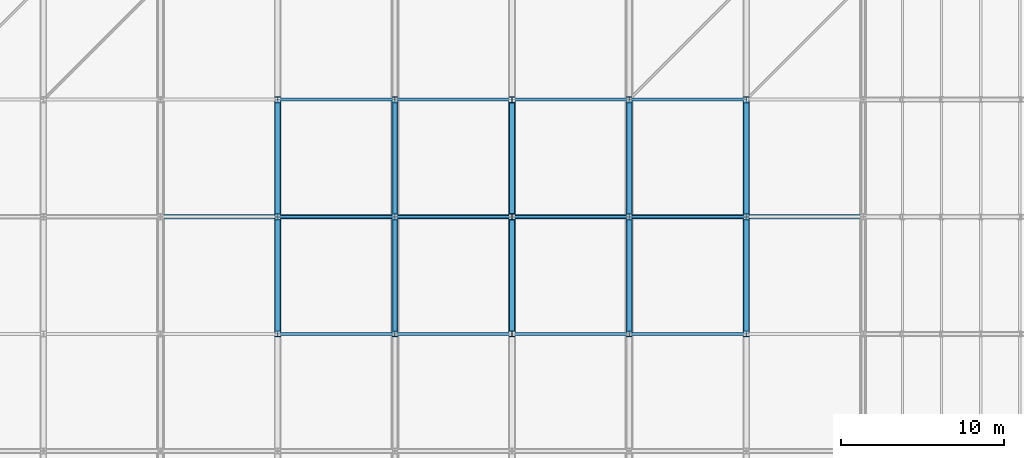
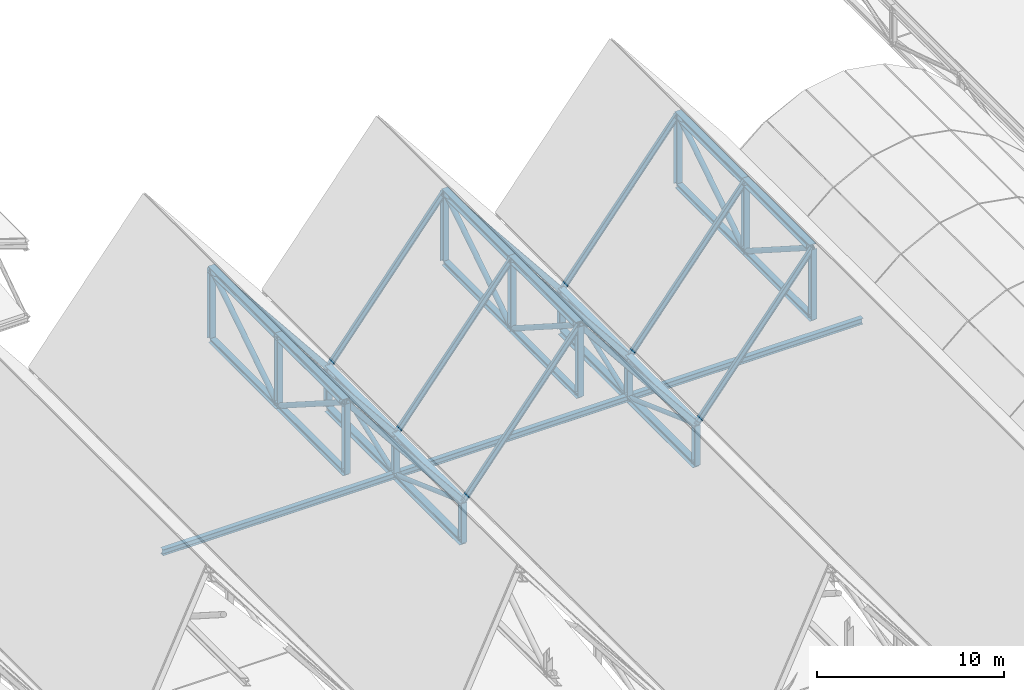
# One storey, part 31 of 60: 57 members, 3 beams.
"""IFC4 building model written with IfcOpenShell, lengths in metres."""

from ifc_helpers import new_model, si_unit, direction, frame, origin, origin_2d, place, context, subcontext, project, spatial, hollow_circle, i_section, extrude, material, material_profile, profile_set, type_object, element, save


model = new_model("IFC4")

# Units and contexts
model_context = context("Model", 3, precision=1e-05, world=origin(), true_north=direction((0.0, 1.0)))
body_context = subcontext(model_context, "Body", "Model", "MODEL_VIEW")
ifc_project = project(units=[si_unit("LENGTHUNIT", "METRE"), si_unit("AREAUNIT", "SQUARE_METRE"), si_unit("VOLUMEUNIT", "CUBIC_METRE"), si_unit("PLANEANGLEUNIT", "RADIAN"), si_unit("MASSUNIT", "GRAM", prefix="KILO")], contexts=[model_context])

# Site, building, storey
site_placement = place(None, origin())
site = spatial("IfcSite", under=ifc_project, at=site_placement, CompositionType="ELEMENT")
building_placement = place(site_placement, origin())
building = spatial("IfcBuilding", under=site, at=building_placement, Name="Vesperath Aquatics Centre", CompositionType="ELEMENT")
storey_placement = place(building_placement, frame((0.0, 0.0, 27.60009765625)))
storey = spatial("IfcBuildingStorey", under=building, at=storey_placement, Name="RF", CompositionType="ELEMENT", Elevation=27.60009765625)

# Beams
ifc_material_1 = material(Name="Steel Q355C", Category="steel")
ifc_material_profile_1 = material_profile(ifc_material_1, i_section(OverallWidth=0.300048828125, OverallDepth=0.389892578125, WebThickness=0.010009765625, FlangeThickness=0.01611328125, FilletRadius=0.02197265625, at=origin_2d()), Name="HM 390x300x10x16")
ifc_profile_set_1 = profile_set([ifc_material_profile_1], Name="Steel Q355C")
beam_type = type_object("IfcBeamType", Name="BM-RB02", PredefinedType="BEAM", material=ifc_profile_set_1)
for number, where, z_axis, x_axis, name in (
    (1, (57.60009765625, 72.0, -12.400146484375), (1.0, 0.0, 0.0), (0.0, 1.0, 0.0), "Natatorium Roof Deck Support Beam B11 G5-72.0"),
    (2, (72.0, 72.0, -12.400146484375), (1.0, 0.0, 0.0), (0.0, 1.0, 0.0), "Natatorium Roof Deck Support Beam B11 G6-72.0"),
):
    element("IfcBeam", number, at=place(storey_placement, frame(where, z_axis=z_axis, x_axis=x_axis)), inside=storey, type_object=beam_type, Name=name, PredefinedType="BEAM", context=body_context, shape_type="SweptSolid", body=[
        extrude(i_section(OverallWidth=0.300048828125, OverallDepth=0.389892578125, WebThickness=0.010009765625, FlangeThickness=0.01611328125, FilletRadius=0.02197265625, at=origin_2d()), origin(), (0.0, 0.0, 1.0), 14.39990234375),
    ])
beam_placement = place(storey_placement, frame((86.39990234375, 72.0, -12.400146484375), z_axis=(1.0, 0.0, 0.0), x_axis=(0.0, 1.0, 0.0)))
element("IfcBeam", 3, at=beam_placement, inside=storey, type_object=beam_type, Name="Natatorium Roof Deck Support Beam B11 G7-72.0", PredefinedType="BEAM", context=body_context, shape_type="SweptSolid", body=[
    extrude(i_section(OverallWidth=0.300048828125, OverallDepth=0.389892578125, WebThickness=0.010009765625, FlangeThickness=0.01611328125, FilletRadius=0.02197265625, at=origin_2d()), origin(), (0.0, 0.0, 1.0), 14.400146484375),
])

# Members
ifc_material_2 = material(Name="Steel Q355D", Category="steel")
ifc_material_profile_2 = material_profile(ifc_material_2, i_section(OverallWidth=0.39990234375, OverallDepth=0.39990234375, WebThickness=0.012939453125, FlangeThickness=0.02099609375, FilletRadius=0.02197265625, at=origin_2d()), Name="HW 400x400x13x21")
ifc_profile_set_2 = profile_set([ifc_material_profile_2], Name="Steel Q355D")
member_type_1 = type_object("IfcMemberType", Name="MB-BC01", PredefinedType="CHORD", material=ifc_profile_set_2)
for number, where, z_axis, x_axis, name in (
    (4, (72.0, 64.800048828125, -12.400146484375), (0.0, 1.0, 0.0), (-1.0, 0.0, 0.0), "Natatorium ROOF TRUSS Bottom Chord BC01 G11-10"),
    (5, (72.0, 72.0, -12.400146484375), (0.0, 1.0, 0.0), (-1.0, 0.0, 0.0), "Natatorium ROOF TRUSS Bottom Chord BC01 G11-11"),
    (6, (86.39990234375, 64.800048828125, -12.400146484375), (0.0, 1.0, 0.0), (-1.0, 0.0, 0.0), "Natatorium ROOF TRUSS Bottom Chord BC01 G13-10"),
    (7, (86.39990234375, 72.0, -12.400146484375), (0.0, 1.0, 0.0), (-1.0, 0.0, 0.0), "Natatorium ROOF TRUSS Bottom Chord BC01 G13-11"),
):
    element("IfcMember", number, at=place(storey_placement, frame(where, z_axis=z_axis, x_axis=x_axis)), inside=storey, type_object=member_type_1, Name=name, PredefinedType="CHORD", context=body_context, shape_type="SweptSolid", body=[
        extrude(i_section(OverallWidth=0.39990234375, OverallDepth=0.39990234375, WebThickness=0.012939453125, FlangeThickness=0.02099609375, FilletRadius=0.02197265625, at=origin_2d()), origin(), (0.0, 0.0, 1.0), 7.199951171875),
    ])
ifc_material_profile_3 = material_profile(ifc_material_2, i_section(OverallWidth=0.35009765625, OverallDepth=0.35009765625, WebThickness=0.011962890625, FlangeThickness=0.01904296875, FilletRadius=0.02001953125, at=origin_2d()), Name="HW 350x350x12x19")
ifc_profile_set_3 = profile_set([ifc_material_profile_3], Name="Steel Q355D")
member_type_2 = type_object("IfcMemberType", Name="MB-BC02", PredefinedType="CHORD", material=ifc_profile_set_3)
for number, where, z_axis, x_axis, name in (
    (8, (64.800048828125, 64.800048828125, -5.400146484375), (0.0, 1.0, 0.0), (-1.0, 0.0, 0.0), "Natatorium ROOF TRUSS Bottom Chord BC02 G10-10"),
    (9, (64.800048828125, 72.0, -5.400146484375), (0.0, 1.0, 0.0), (-1.0, 0.0, 0.0), "Natatorium ROOF TRUSS Bottom Chord BC02 G10-11"),
    (10, (79.199951171875, 64.800048828125, -5.400146484375), (0.0, 1.0, 0.0), (-1.0, 0.0, 0.0), "Natatorium ROOF TRUSS Bottom Chord BC02 G12-10"),
    (11, (79.199951171875, 72.0, -5.400146484375), (0.0, 1.0, 0.0), (-1.0, 0.0, 0.0), "Natatorium ROOF TRUSS Bottom Chord BC02 G12-11"),
    (12, (93.60009765625, 64.800048828125, -5.400146484375), (0.0, 1.0, 0.0), (-1.0, 0.0, 0.0), "Natatorium ROOF TRUSS Bottom Chord BC02 G14-10"),
    (13, (93.60009765625, 72.0, -5.400146484375), (0.0, 1.0, 0.0), (-1.0, 0.0, 0.0), "Natatorium ROOF TRUSS Bottom Chord BC02 G14-11"),
):
    element("IfcMember", number, at=place(storey_placement, frame(where, z_axis=z_axis, x_axis=x_axis)), inside=storey, type_object=member_type_2, Name=name, PredefinedType="CHORD", context=body_context, shape_type="SweptSolid", body=[
        extrude(i_section(OverallWidth=0.35009765625, OverallDepth=0.35009765625, WebThickness=0.011962890625, FlangeThickness=0.01904296875, FilletRadius=0.02001953125, at=origin_2d()), origin(), (0.0, 0.0, 1.0), 7.199951171875),
    ])
ifc_material_profile_4 = material_profile(ifc_material_1, i_section(OverallWidth=0.175048828125, OverallDepth=0.35009765625, WebThickness=0.007080078125, FlangeThickness=0.010986328125, FilletRadius=0.012939453125, at=origin_2d()), Name="HN 350x175x7x11")
ifc_profile_set_4 = profile_set([ifc_material_profile_4], Name="Steel Q355C")
member_type_3 = type_object("IfcMemberType", Name="MB-PR01", PredefinedType="PURLIN", material=ifc_profile_set_4)
for number, where, z_axis, x_axis, name in (
    (14, (64.800048828125, 64.800048828125, -0.800048828125), (0.624692464322, 0.0, -0.780870876022), (0.0, 1.0, 0.0), "Natatorium Roof Purlin PR01 B10-8"),
    (15, (64.800048828125, 72.0, -0.800048828125), (0.624692464322, 0.0, -0.780870876022), (0.0, 1.0, 0.0), "Natatorium Roof Purlin PR01 B10-9"),
    (16, (64.800048828125, 79.199951171875, -0.800048828125), (0.624692464322, 0.0, -0.780870876022), (0.0, 1.0, 0.0), "Natatorium Roof Purlin PR01 B10-10"),
    (17, (72.0, 64.800048828125, -9.800048828125), (0.624692464322, 0.0, 0.780870876022), (0.0, 1.0, 0.0), "Natatorium Roof Purlin PR01 B11-8"),
    (18, (72.0, 72.0, -9.800048828125), (0.624692464322, 0.0, 0.780870876022), (0.0, 1.0, 0.0), "Natatorium Roof Purlin PR01 B11-9"),
    (19, (72.0, 79.199951171875, -9.800048828125), (0.624692464322, 0.0, 0.780870876022), (0.0, 1.0, 0.0), "Natatorium Roof Purlin PR01 B11-10"),
    (20, (79.199951171875, 64.800048828125, -0.800048828125), (0.624692464322, 0.0, -0.780870876022), (0.0, 1.0, 0.0), "Natatorium Roof Purlin PR01 B12-8"),
    (21, (79.199951171875, 72.0, -0.800048828125), (0.624692464322, 0.0, -0.780870876022), (0.0, 1.0, 0.0), "Natatorium Roof Purlin PR01 B12-9"),
    (22, (79.199951171875, 79.199951171875, -0.800048828125), (0.624692464322, 0.0, -0.780870876022), (0.0, 1.0, 0.0), "Natatorium Roof Purlin PR01 B12-10"),
    (23, (86.39990234375, 64.800048828125, -9.800048828125), (0.624705380279, 0.0, 0.780860543151), (0.0, 1.0, 0.0), "Natatorium Roof Purlin PR01 B13-8"),
    (24, (86.39990234375, 72.0, -9.800048828125), (0.624705380279, 0.0, 0.780860543151), (0.0, 1.0, 0.0), "Natatorium Roof Purlin PR01 B13-9"),
    (25, (86.39990234375, 79.199951171875, -9.800048828125), (0.624705380279, 0.0, 0.780860543151), (0.0, 1.0, 0.0), "Natatorium Roof Purlin PR01 B13-10"),
):
    element("IfcMember", number, at=place(storey_placement, frame(where, z_axis=z_axis, x_axis=x_axis)), inside=storey, type_object=member_type_3, Name=name, PredefinedType="PURLIN", context=body_context, shape_type="SweptSolid", body=[
        extrude(i_section(OverallWidth=0.175048828125, OverallDepth=0.35009765625, WebThickness=0.007080078125, FlangeThickness=0.010986328125, FilletRadius=0.012939453125, at=origin_2d()), origin(), (0.0, 0.0, 1.0), 11.525634765625),
    ])
ifc_material_profile_5 = material_profile(ifc_material_2, i_section(OverallWidth=0.406982421875, OverallDepth=0.427978515625, WebThickness=0.02001953125, FlangeThickness=0.034912109375, FilletRadius=0.02197265625, at=origin_2d()), Name="HW 428x407x20x35")
ifc_profile_set_5 = profile_set([ifc_material_profile_5], Name="Steel Q355D")
member_type_4 = type_object("IfcMemberType", Name="MB-TC01", PredefinedType="CHORD", material=ifc_profile_set_5)
for number, where, z_axis, x_axis, name in (
    (26, (64.800048828125, 64.800048828125, -0.800048828125), (0.0, 1.0, 0.0), (-1.0, 0.0, 0.0), "Natatorium ROOF TRUSS Top Chord TC01 G10-10"),
    (27, (64.800048828125, 72.0, -0.800048828125), (0.0, 1.0, 0.0), (-1.0, 0.0, 0.0), "Natatorium ROOF TRUSS Top Chord TC01 G10-11"),
    (28, (79.199951171875, 64.800048828125, -0.800048828125), (0.0, 1.0, 0.0), (-1.0, 0.0, 0.0), "Natatorium ROOF TRUSS Top Chord TC01 G12-10"),
    (29, (79.199951171875, 72.0, -0.800048828125), (0.0, 1.0, 0.0), (-1.0, 0.0, 0.0), "Natatorium ROOF TRUSS Top Chord TC01 G12-11"),
    (30, (93.60009765625, 64.800048828125, -0.800048828125), (0.0, 1.0, 0.0), (-1.0, 0.0, 0.0), "Natatorium ROOF TRUSS Top Chord TC01 G14-10"),
    (31, (93.60009765625, 72.0, -0.800048828125), (0.0, 1.0, 0.0), (-1.0, 0.0, 0.0), "Natatorium ROOF TRUSS Top Chord TC01 G14-11"),
):
    element("IfcMember", number, at=place(storey_placement, frame(where, z_axis=z_axis, x_axis=x_axis)), inside=storey, type_object=member_type_4, Name=name, PredefinedType="CHORD", context=body_context, shape_type="SweptSolid", body=[
        extrude(i_section(OverallWidth=0.406982421875, OverallDepth=0.427978515625, WebThickness=0.02001953125, FlangeThickness=0.034912109375, FilletRadius=0.02197265625, at=origin_2d()), origin(), (0.0, 0.0, 1.0), 7.199951171875),
    ])
ifc_material_profile_6 = material_profile(ifc_material_2, i_section(OverallWidth=0.39990234375, OverallDepth=0.39990234375, WebThickness=0.012939453125, FlangeThickness=0.02099609375, FilletRadius=0.02197265625, at=origin_2d()), Name="HW 400x400x13x21")
ifc_profile_set_6 = profile_set([ifc_material_profile_6], Name="Steel Q355D")
member_type_5 = type_object("IfcMemberType", Name="MB-TC02", PredefinedType="CHORD", material=ifc_profile_set_6)
for number, where, z_axis, x_axis, name in (
    (32, (72.0, 64.800048828125, -9.800048828125), (0.0, 1.0, 0.0), (-1.0, 0.0, 0.0), "Natatorium ROOF TRUSS Top Chord TC02 G11-10"),
    (33, (72.0, 72.0, -9.800048828125), (0.0, 1.0, 0.0), (-1.0, 0.0, 0.0), "Natatorium ROOF TRUSS Top Chord TC02 G11-11"),
    (34, (86.39990234375, 64.800048828125, -9.800048828125), (0.0, 1.0, 0.0), (-1.0, 0.0, 0.0), "Natatorium ROOF TRUSS Top Chord TC02 G13-10"),
    (35, (86.39990234375, 72.0, -9.800048828125), (0.0, 1.0, 0.0), (-1.0, 0.0, 0.0), "Natatorium ROOF TRUSS Top Chord TC02 G13-11"),
):
    element("IfcMember", number, at=place(storey_placement, frame(where, z_axis=z_axis, x_axis=x_axis)), inside=storey, type_object=member_type_5, Name=name, PredefinedType="CHORD", context=body_context, shape_type="SweptSolid", body=[
        extrude(i_section(OverallWidth=0.39990234375, OverallDepth=0.39990234375, WebThickness=0.012939453125, FlangeThickness=0.02099609375, FilletRadius=0.02197265625, at=origin_2d()), origin(), (0.0, 0.0, 1.0), 7.199951171875),
    ])
ifc_material_profile_7 = material_profile(ifc_material_2, hollow_circle(Radius=0.161865234375, WallThickness=0.013916015625, at=origin_2d()), Name="CHS 323.9x14")
ifc_profile_set_7 = profile_set([ifc_material_profile_7], Name="Steel Q355D")
member_type_6 = type_object("IfcMemberType", Name="MB-TD01", PredefinedType="BRACE", material=ifc_profile_set_7)
for number, where, z_axis, x_axis, name in (
    (36, (64.800048828125, 64.867431640625, -0.84326171875), (0.0, 0.84270690245, -0.538372618698), (-1.0, 0.0, 0.0), "Natatorium ROOF TRUSS Diagonal TD01 G10-10"),
    (37, (64.800048828125, 72.0673828125, -5.35693359375), (0.0, 0.84270690245, 0.538372618698), (-1.0, 0.0, 0.0), "Natatorium ROOF TRUSS Diagonal TD01 G10-11"),
    (38, (79.199951171875, 64.867431640625, -0.84326171875), (0.0, 0.84270690245, -0.538372618698), (-1.0, 0.0, 0.0), "Natatorium ROOF TRUSS Diagonal TD01 G12-10"),
    (39, (79.199951171875, 72.0673828125, -5.35693359375), (0.0, 0.84270690245, 0.538372618698), (-1.0, 0.0, 0.0), "Natatorium ROOF TRUSS Diagonal TD01 G12-11"),
    (40, (93.60009765625, 64.867431640625, -0.84326171875), (0.0, 0.84270690245, -0.538372618698), (-1.0, 0.0, 0.0), "Natatorium ROOF TRUSS Diagonal TD01 G14-10"),
    (41, (93.60009765625, 72.0673828125, -5.35693359375), (0.0, 0.84270690245, 0.538372618698), (-1.0, 0.0, 0.0), "Natatorium ROOF TRUSS Diagonal TD01 G14-11"),
):
    element("IfcMember", number, at=place(storey_placement, frame(where, z_axis=z_axis, x_axis=x_axis)), inside=storey, type_object=member_type_6, Name=name, PredefinedType="BRACE", context=body_context, shape_type="SweptSolid", body=[
        extrude(hollow_circle(Radius=0.161865234375, WallThickness=0.013916015625, at=origin_2d()), origin(), (0.0, 0.0, 1.0), 8.384033203125),
    ])
ifc_material_profile_8 = material_profile(ifc_material_2, hollow_circle(Radius=0.136474609375, WallThickness=0.011962890625, at=origin_2d()), Name="CHS 273.0x12")
ifc_profile_set_8 = profile_set([ifc_material_profile_8], Name="Steel Q355D")
member_type_7 = type_object("IfcMemberType", Name="MB-TD02", PredefinedType="BRACE", material=ifc_profile_set_8)
for number, where, z_axis, x_axis, name in (
    (42, (72.0, 64.875244140625, -9.8271484375), (0.0, 0.940544360889, -0.339670877761), (-1.0, 0.0, 0.0), "Natatorium ROOF TRUSS Diagonal TD02 G11-10"),
    (43, (72.0, 72.0751953125, -12.373046875), (0.0, 0.940544360889, 0.339670877761), (-1.0, 0.0, 0.0), "Natatorium ROOF TRUSS Diagonal TD02 G11-11"),
    (44, (86.39990234375, 64.875244140625, -9.8271484375), (0.0, 0.940544360889, -0.339670877761), (-1.0, 0.0, 0.0), "Natatorium ROOF TRUSS Diagonal TD02 G13-10"),
    (45, (86.39990234375, 72.0751953125, -12.373046875), (0.0, 0.940544360889, 0.339670877761), (-1.0, 0.0, 0.0), "Natatorium ROOF TRUSS Diagonal TD02 G13-11"),
):
    element("IfcMember", number, at=place(storey_placement, frame(where, z_axis=z_axis, x_axis=x_axis)), inside=storey, type_object=member_type_7, Name=name, PredefinedType="BRACE", context=body_context, shape_type="SweptSolid", body=[
        extrude(hollow_circle(Radius=0.136474609375, WallThickness=0.011962890625, at=origin_2d()), origin(), (0.0, 0.0, 1.0), 7.4951171875),
    ])
ifc_material_profile_9 = material_profile(ifc_material_2, i_section(OverallWidth=0.35009765625, OverallDepth=0.35009765625, WebThickness=0.011962890625, FlangeThickness=0.01904296875, FilletRadius=0.02001953125, at=origin_2d()), Name="HW 350x350x12x19")
ifc_profile_set_9 = profile_set([ifc_material_profile_9], Name="Steel Q355D")
member_type_8 = type_object("IfcMemberType", Name="MB-TP01", PredefinedType="POST", material=ifc_profile_set_9)
for number, where, z_axis, x_axis, name in (
    (46, (64.800048828125, 64.800048828125, -5.400146484375), (0.0, 0.0, 1.0), (1.0, 0.0, 0.0), "Natatorium ROOF TRUSS Post TP01 G10-10"),
    (47, (64.800048828125, 72.0, -5.400146484375), (0.0, 0.0, 1.0), (1.0, 0.0, 0.0), "Natatorium ROOF TRUSS Post TP01 G10-11"),
    (48, (64.800048828125, 79.199951171875, -5.400146484375), (0.0, 0.0, 1.0), (1.0, 0.0, 0.0), "Natatorium ROOF TRUSS Post TP01 G10-12"),
):
    element("IfcMember", number, at=place(storey_placement, frame(where, z_axis=z_axis, x_axis=x_axis)), inside=storey, type_object=member_type_8, Name=name, PredefinedType="POST", context=body_context, shape_type="SweptSolid", body=[
        extrude(i_section(OverallWidth=0.35009765625, OverallDepth=0.35009765625, WebThickness=0.011962890625, FlangeThickness=0.01904296875, FilletRadius=0.02001953125, at=origin_2d()), origin(), (0.0, 0.0, 1.0), 4.60009765625),
    ])
for number, where, z_axis, x_axis, name in (
    (49, (72.0, 64.800048828125, -12.400146484375), (0.0, 0.0, 1.0), (1.0, 0.0, 0.0), "Natatorium ROOF TRUSS Post TP01 G11-10"),
    (50, (72.0, 72.0, -12.400146484375), (0.0, 0.0, 1.0), (1.0, 0.0, 0.0), "Natatorium ROOF TRUSS Post TP01 G11-11"),
    (51, (72.0, 79.199951171875, -12.400146484375), (0.0, 0.0, 1.0), (1.0, 0.0, 0.0), "Natatorium ROOF TRUSS Post TP01 G11-12"),
):
    element("IfcMember", number, at=place(storey_placement, frame(where, z_axis=z_axis, x_axis=x_axis)), inside=storey, type_object=member_type_8, Name=name, PredefinedType="POST", context=body_context, shape_type="SweptSolid", body=[
        extrude(i_section(OverallWidth=0.35009765625, OverallDepth=0.35009765625, WebThickness=0.011962890625, FlangeThickness=0.01904296875, FilletRadius=0.02001953125, at=origin_2d()), origin(), (0.0, 0.0, 1.0), 2.60009765625),
    ])
for number, where, z_axis, x_axis, name in (
    (52, (79.199951171875, 64.800048828125, -5.400146484375), (0.0, 0.0, 1.0), (1.0, 0.0, 0.0), "Natatorium ROOF TRUSS Post TP01 G12-10"),
    (53, (79.199951171875, 72.0, -5.400146484375), (0.0, 0.0, 1.0), (1.0, 0.0, 0.0), "Natatorium ROOF TRUSS Post TP01 G12-11"),
    (54, (79.199951171875, 79.199951171875, -5.400146484375), (0.0, 0.0, 1.0), (1.0, 0.0, 0.0), "Natatorium ROOF TRUSS Post TP01 G12-12"),
):
    element("IfcMember", number, at=place(storey_placement, frame(where, z_axis=z_axis, x_axis=x_axis)), inside=storey, type_object=member_type_8, Name=name, PredefinedType="POST", context=body_context, shape_type="SweptSolid", body=[
        extrude(i_section(OverallWidth=0.35009765625, OverallDepth=0.35009765625, WebThickness=0.011962890625, FlangeThickness=0.01904296875, FilletRadius=0.02001953125, at=origin_2d()), origin(), (0.0, 0.0, 1.0), 4.60009765625),
    ])
for number, where, z_axis, x_axis, name in (
    (55, (86.39990234375, 64.800048828125, -12.400146484375), (0.0, 0.0, 1.0), (1.0, 0.0, 0.0), "Natatorium ROOF TRUSS Post TP01 G13-10"),
    (56, (86.39990234375, 72.0, -12.400146484375), (0.0, 0.0, 1.0), (1.0, 0.0, 0.0), "Natatorium ROOF TRUSS Post TP01 G13-11"),
    (57, (86.39990234375, 79.199951171875, -12.400146484375), (0.0, 0.0, 1.0), (1.0, 0.0, 0.0), "Natatorium ROOF TRUSS Post TP01 G13-12"),
):
    element("IfcMember", number, at=place(storey_placement, frame(where, z_axis=z_axis, x_axis=x_axis)), inside=storey, type_object=member_type_8, Name=name, PredefinedType="POST", context=body_context, shape_type="SweptSolid", body=[
        extrude(i_section(OverallWidth=0.35009765625, OverallDepth=0.35009765625, WebThickness=0.011962890625, FlangeThickness=0.01904296875, FilletRadius=0.02001953125, at=origin_2d()), origin(), (0.0, 0.0, 1.0), 2.60009765625),
    ])
for number, where, z_axis, x_axis, name in (
    (58, (93.60009765625, 64.800048828125, -5.400146484375), (0.0, 0.0, 1.0), (1.0, 0.0, 0.0), "Natatorium ROOF TRUSS Post TP01 G14-10"),
    (59, (93.60009765625, 72.0, -5.400146484375), (0.0, 0.0, 1.0), (1.0, 0.0, 0.0), "Natatorium ROOF TRUSS Post TP01 G14-11"),
    (60, (93.60009765625, 79.199951171875, -5.400146484375), (0.0, 0.0, 1.0), (1.0, 0.0, 0.0), "Natatorium ROOF TRUSS Post TP01 G14-12"),
):
    element("IfcMember", number, at=place(storey_placement, frame(where, z_axis=z_axis, x_axis=x_axis)), inside=storey, type_object=member_type_8, Name=name, PredefinedType="POST", context=body_context, shape_type="SweptSolid", body=[
        extrude(i_section(OverallWidth=0.35009765625, OverallDepth=0.35009765625, WebThickness=0.011962890625, FlangeThickness=0.01904296875, FilletRadius=0.02001953125, at=origin_2d()), origin(), (0.0, 0.0, 1.0), 4.60009765625),
    ])

save(model, "model.ifc")
